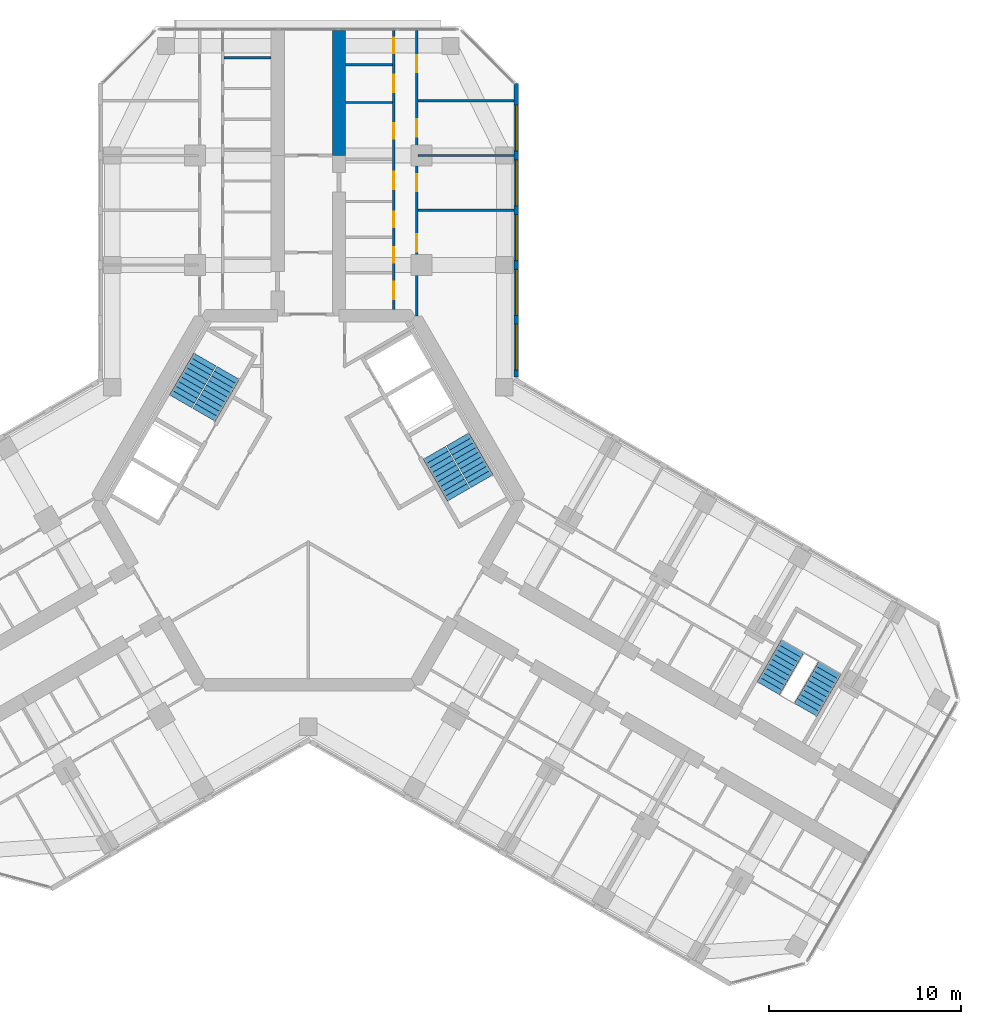
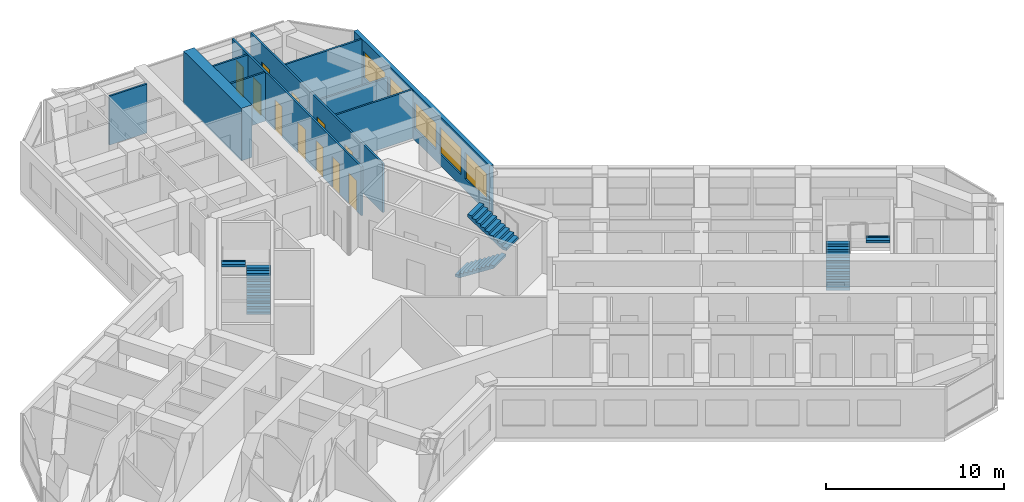
# One storey, part 15 of 16: 11 doors, 10 walls, 6 stair flights, 5 windows, 16 openings, 3 elements without a shape of their own.
"""IFC4 building model written with IfcOpenShell, lengths in metres."""

from ifc_helpers import new_model, si_unit, direction, frame, frame_2d, origin, place, context, subcontext, project, spatial, polyline, rectangle, outline, extrude, material, layer, layer_set, type_object, element, fill, aggregate, save


model = new_model("IFC4")

# Units and contexts
model_context = context("Model", 3, precision=1e-05, world=origin(), true_north=direction((0.0, 1.0)))
body_context = subcontext(model_context, "Body", "Model", "MODEL_VIEW")
ifc_project = project(units=[si_unit("LENGTHUNIT", "METRE"), si_unit("AREAUNIT", "SQUARE_METRE"), si_unit("VOLUMEUNIT", "CUBIC_METRE"), si_unit("PLANEANGLEUNIT", "RADIAN"), si_unit("MASSUNIT", "GRAM", prefix="KILO")], contexts=[model_context])

# Site, building, storey
site_placement = place(None, origin())
site = spatial("IfcSite", under=ifc_project, at=site_placement, CompositionType="ELEMENT")
building_placement = place(site_placement, origin())
building = spatial("IfcBuilding", under=site, at=building_placement, Name="Kosmar Iwan School Tower", CompositionType="ELEMENT")
storey_placement = place(building_placement, frame((0.0, 0.0, 222.60009765625)))
storey = spatial("IfcBuildingStorey", under=building, at=storey_placement, Name="L56", CompositionType="ELEMENT", Elevation=222.60009765625)

# Walls
ifc_material_1 = material(Name="Concrete C50/60", Category="concrete")
ifc_layer_1 = layer(ifc_material_1, 0.699951171875)
ifc_layer_set_1 = layer_set([ifc_layer_1], Name="Corridor buttress wall 700")
wall_type_1 = type_object("IfcWallType", Name="Corridor buttress wall 700", PredefinedType="SHEAR", material=ifc_layer_set_1)
wall_1_placement = place(storey_placement, frame((1.60009765625, 17.949951171875, 0.0), z_axis=(0.0, 0.0, 1.0), x_axis=(0.0, 1.0, 0.0)))
element("IfcWall", 1, at=wall_1_placement, inside=storey, type_object=wall_type_1, Name="Corridor wall AR bay 2", PredefinedType="SHEAR", context=body_context, shape_type="SweptSolid", body=[
    extrude(rectangle(XDim=6.4951171875, YDim=0.699951171875, at=frame_2d((3.24755859375, 0.0))), origin(), (0.0, 0.0, 1.0), 3.599853515625),
])
ifc_material_2 = material(Name="Gypsum board on steel studs", Category="steel")
ifc_layer_2 = layer(ifc_material_2, 0.1201171875)
ifc_layer_set_2 = layer_set([ifc_layer_2], Name="Dwelling partition 120")
wall_type_2 = type_object("IfcWallType", Name="Dwelling partition 120", PredefinedType="PARTITIONING", material=ifc_layer_set_2)
wall_2_placement = place(storey_placement, frame((-1.949951171875, 23.043212890625, 0.0), z_axis=(0.0, 0.0, 1.0), x_axis=(-1.0, 0.0, 0.0)))
element("IfcWall", 2, at=wall_2_placement, inside=storey, type_object=wall_type_2, Name="Partition L56-AL1-Y7", PredefinedType="PARTITIONING", context=body_context, shape_type="SweptSolid", body=[
    extrude(rectangle(XDim=2.43994140625, YDim=0.1201171875, at=frame_2d((1.219970703125, 0.0))), origin(), (0.0, 0.0, 1.0), 3.349853515625),
])

# Wall, openings, doors
wall_3_placement = place(storey_placement, frame((4.449951171875, 9.925048828125, 0.0), z_axis=(0.0, 0.0, 1.0), x_axis=(0.0, 1.0, 0.0)))
wall_3 = element("IfcWall", 3, at=wall_3_placement, inside=storey, type_object=wall_type_2, Name="Partition L56-AR1-W1", PredefinedType="PARTITIONING", context=body_context, shape_type="SweptSolid", body=[
    extrude(rectangle(XDim=14.52001953125, YDim=0.1201171875, at=frame_2d((7.260009765625, 0.0))), origin(), (0.0, 0.0, 1.0), 3.349853515625),
])
opening_1_placement = place(wall_3_placement, frame((0.550048828125, 0.0, 0.0)))
opening_1 = element("IfcOpeningElement", 4, at=opening_1_placement, cuts=wall_3, Name="Opening D2", PredefinedType="OPENING", context=body_context, shape_type="SweptSolid", body=[
    extrude(rectangle(XDim=0.89990234375, YDim=2.10009765625, at=frame_2d((0.449951171875, 1.050048828125))), frame((0.0, 0.072021484375, 0.0), z_axis=(0.0, -1.0, 0.0), x_axis=(1.0, 0.0, 0.0)), (0.0, 0.0, 1.0), 0.14404296875),
])
opening_2_placement = place(wall_3_placement, frame((2.449951171875, 0.0, 0.0)))
opening_2 = element("IfcOpeningElement", 5, at=opening_2_placement, cuts=wall_3, Name="Opening D3", PredefinedType="OPENING", context=body_context, shape_type="SweptSolid", body=[
    extrude(rectangle(XDim=0.800048828125, YDim=2.10009765625, at=frame_2d((0.39990234375, 1.050048828125))), frame((0.0, 0.072021484375, 0.0), z_axis=(0.0, -1.0, 0.0), x_axis=(1.0, 0.0, 0.0)), (0.0, 0.0, 1.0), 0.14404296875),
])
opening_3_placement = place(wall_3_placement, frame((4.300048828125, 0.0, 0.0)))
opening_3 = element("IfcOpeningElement", 6, at=opening_3_placement, cuts=wall_3, Name="Opening D3", PredefinedType="OPENING", context=body_context, shape_type="SweptSolid", body=[
    extrude(rectangle(XDim=0.800048828125, YDim=2.10009765625, at=frame_2d((0.39990234375, 1.050048828125))), frame((0.0, 0.072021484375, 0.0), z_axis=(0.0, -1.0, 0.0), x_axis=(1.0, 0.0, 0.0)), (0.0, 0.0, 1.0), 0.14404296875),
])
opening_4_placement = place(wall_3_placement, frame((6.27490234375, 0.0, 0.0)))
opening_4 = element("IfcOpeningElement", 7, at=opening_4_placement, cuts=wall_3, Name="Opening D2", PredefinedType="OPENING", context=body_context, shape_type="SweptSolid", body=[
    extrude(rectangle(XDim=0.89990234375, YDim=2.10009765625, at=frame_2d((0.449951171875, 1.050048828125))), frame((0.0, 0.072021484375, 0.0), z_axis=(0.0, -1.0, 0.0), x_axis=(1.0, 0.0, 0.0)), (0.0, 0.0, 1.0), 0.14404296875),
])
opening_5_placement = place(wall_3_placement, frame((8.903564453125, 0.0, 0.0)))
opening_5 = element("IfcOpeningElement", 8, at=opening_5_placement, cuts=wall_3, Name="Opening D3", PredefinedType="OPENING", context=body_context, shape_type="SweptSolid", body=[
    extrude(rectangle(XDim=0.800048828125, YDim=2.10009765625, at=frame_2d((0.39990234375, 1.050048828125))), frame((0.0, 0.072021484375, 0.0), z_axis=(0.0, -1.0, 0.0), x_axis=(1.0, 0.0, 0.0)), (0.0, 0.0, 1.0), 0.14404296875),
])
opening_6_placement = place(wall_3_placement, frame((11.31787109375, 0.0, 0.0)))
opening_6 = element("IfcOpeningElement", 9, at=opening_6_placement, cuts=wall_3, Name="Opening D2", PredefinedType="OPENING", context=body_context, shape_type="SweptSolid", body=[
    extrude(rectangle(XDim=0.89990234375, YDim=2.10009765625, at=frame_2d((0.449951171875, 1.050048828125))), frame((0.0, 0.072021484375, 0.0), z_axis=(0.0, -1.0, 0.0), x_axis=(1.0, 0.0, 0.0)), (0.0, 0.0, 1.0), 0.14404296875),
])
opening_7_placement = place(wall_3_placement, frame((13.33935546875, 0.0, 0.0)))
opening_7 = element("IfcOpeningElement", 10, at=opening_7_placement, cuts=wall_3, Name="Opening D3", PredefinedType="OPENING", context=body_context, shape_type="SweptSolid", body=[
    extrude(rectangle(XDim=0.800048828125, YDim=2.10009765625, at=frame_2d((0.39990234375, 1.050048828125))), frame((0.0, 0.072021484375, 0.0), z_axis=(0.0, -1.0, 0.0), x_axis=(1.0, 0.0, 0.0)), (0.0, 0.0, 1.0), 0.14404296875),
])
ifc_material_3 = material(Name="Timber door in timber frame", Category="wood")
door_type_1 = type_object("IfcDoorType", Name="Internal door 900x2100", OperationType="SINGLE_SWING_LEFT", PredefinedType="DOOR", material=ifc_material_3)
door_1_placement = place(opening_1_placement, origin())
door_1 = element("IfcDoor", 11, at=door_1_placement, inside=storey, type_object=door_type_1, Name="Utility room door L56-AR1-S1", OperationType="SINGLE_SWING_RIGHT", OverallHeight=2.10009765625, OverallWidth=0.89990234375, PredefinedType="DOOR", context=body_context, shape_type="SweptSolid", body=[
    extrude(rectangle(XDim=0.89990234375, YDim=2.10009765625, at=frame_2d((0.449951171875, 1.050048828125))), frame((0.0, 0.02490234375, 0.0), z_axis=(0.0, -1.0, 0.0), x_axis=(1.0, 0.0, 0.0)), (0.0, 0.0, 1.0), 0.050048828125),
])
fill(opening_1, door_1)
door_2_placement = place(opening_4_placement, origin())
door_2 = element("IfcDoor", 12, at=door_2_placement, inside=storey, type_object=door_type_1, Name="Entrance hall door L56-AR1-S4", OperationType="SINGLE_SWING_LEFT", OverallHeight=2.10009765625, OverallWidth=0.89990234375, PredefinedType="DOOR", context=body_context, shape_type="SweptSolid", body=[
    extrude(rectangle(XDim=0.89990234375, YDim=2.10009765625, at=frame_2d((0.449951171875, 1.050048828125))), frame((0.0, 0.02490234375, 0.0), z_axis=(0.0, -1.0, 0.0), x_axis=(1.0, 0.0, 0.0)), (0.0, 0.0, 1.0), 0.050048828125),
])
fill(opening_4, door_2)
door_3_placement = place(opening_6_placement, origin())
door_3 = element("IfcDoor", 13, at=door_3_placement, inside=storey, type_object=door_type_1, Name="Pantry door L56-AR1-S6", OperationType="SINGLE_SWING_LEFT", OverallHeight=2.10009765625, OverallWidth=0.89990234375, PredefinedType="DOOR", context=body_context, shape_type="SweptSolid", body=[
    extrude(rectangle(XDim=0.89990234375, YDim=2.10009765625, at=frame_2d((0.449951171875, 1.050048828125))), frame((0.0, 0.02490234375, 0.0), z_axis=(0.0, -1.0, 0.0), x_axis=(1.0, 0.0, 0.0)), (0.0, 0.0, 1.0), 0.050048828125),
])
fill(opening_6, door_3)
ifc_material_4 = material(Name="Timber door in timber frame", Category="wood")
door_type_2 = type_object("IfcDoorType", Name="Sanitary room door 800x2100", OperationType="SINGLE_SWING_LEFT", PredefinedType="DOOR", material=ifc_material_4)
door_4_placement = place(opening_2_placement, origin())
door_4 = element("IfcDoor", 14, at=door_4_placement, inside=storey, type_object=door_type_2, Name="WC door L56-AR1-S2", OperationType="SINGLE_SWING_LEFT", OverallHeight=2.10009765625, OverallWidth=0.800048828125, PredefinedType="DOOR", context=body_context, shape_type="SweptSolid", body=[
    extrude(rectangle(XDim=0.800048828125, YDim=2.10009765625, at=frame_2d((0.39990234375, 1.050048828125))), frame((0.0, 0.02490234375, 0.0), z_axis=(0.0, -1.0, 0.0), x_axis=(1.0, 0.0, 0.0)), (0.0, 0.0, 1.0), 0.050048828125),
])
fill(opening_2, door_4)
door_5_placement = place(opening_3_placement, origin())
door_5 = element("IfcDoor", 15, at=door_5_placement, inside=storey, type_object=door_type_2, Name="Shower room door L56-AR1-S3", OperationType="SINGLE_SWING_RIGHT", OverallHeight=2.10009765625, OverallWidth=0.800048828125, PredefinedType="DOOR", context=body_context, shape_type="SweptSolid", body=[
    extrude(rectangle(XDim=0.800048828125, YDim=2.10009765625, at=frame_2d((0.39990234375, 1.050048828125))), frame((0.0, 0.02490234375, 0.0), z_axis=(0.0, -1.0, 0.0), x_axis=(1.0, 0.0, 0.0)), (0.0, 0.0, 1.0), 0.050048828125),
])
fill(opening_3, door_5)
door_6_placement = place(opening_5_placement, origin())
door_6 = element("IfcDoor", 16, at=door_6_placement, inside=storey, type_object=door_type_2, Name="Bathroom door L56-AR1-S5", OperationType="SINGLE_SWING_RIGHT", OverallHeight=2.10009765625, OverallWidth=0.800048828125, PredefinedType="DOOR", context=body_context, shape_type="SweptSolid", body=[
    extrude(rectangle(XDim=0.800048828125, YDim=2.10009765625, at=frame_2d((0.39990234375, 1.050048828125))), frame((0.0, 0.02490234375, 0.0), z_axis=(0.0, -1.0, 0.0), x_axis=(1.0, 0.0, 0.0)), (0.0, 0.0, 1.0), 0.050048828125),
])
fill(opening_5, door_6)
door_7_placement = place(opening_7_placement, origin())
door_7 = element("IfcDoor", 17, at=door_7_placement, inside=storey, type_object=door_type_2, Name="Store door L56-AR1-S7", OperationType="SINGLE_SWING_RIGHT", OverallHeight=2.10009765625, OverallWidth=0.800048828125, PredefinedType="DOOR", context=body_context, shape_type="SweptSolid", body=[
    extrude(rectangle(XDim=0.800048828125, YDim=2.10009765625, at=frame_2d((0.39990234375, 1.050048828125))), frame((0.0, 0.02490234375, 0.0), z_axis=(0.0, -1.0, 0.0), x_axis=(1.0, 0.0, 0.0)), (0.0, 0.0, 1.0), 0.050048828125),
])
fill(opening_7, door_7)

wall_4_placement = place(storey_placement, frame((5.64990234375, 9.60009765625, 0.0), z_axis=(0.0, 0.0, 1.0), x_axis=(0.0, 1.0, 0.0)))
wall_4 = element("IfcWall", 18, at=wall_4_placement, inside=storey, type_object=wall_type_2, Name="Partition L56-AR1-W2", PredefinedType="PARTITIONING", context=body_context, shape_type="SweptSolid", body=[
    extrude(rectangle(XDim=14.844970703125, YDim=0.1201171875, at=frame_2d((7.42236328125, 0.0))), origin(), (0.0, 0.0, 1.0), 3.349853515625),
])
opening_8_placement = place(wall_4_placement, frame((3.35009765625, 0.0, 0.0)))
opening_8 = element("IfcOpeningElement", 19, at=opening_8_placement, cuts=wall_4, Name="Opening D2", PredefinedType="OPENING", context=body_context, shape_type="SweptSolid", body=[
    extrude(rectangle(XDim=0.89990234375, YDim=2.10009765625, at=frame_2d((0.449951171875, 1.050048828125))), frame((0.0, 0.072021484375, 0.0), z_axis=(0.0, -1.0, 0.0), x_axis=(1.0, 0.0, 0.0)), (0.0, 0.0, 1.0), 0.14404296875),
])
opening_9_placement = place(wall_4_placement, frame((6.47509765625, 0.0, 0.0)))
opening_9 = element("IfcOpeningElement", 20, at=opening_9_placement, cuts=wall_4, Name="Opening D2", PredefinedType="OPENING", context=body_context, shape_type="SweptSolid", body=[
    extrude(rectangle(XDim=0.89990234375, YDim=2.10009765625, at=frame_2d((0.449951171875, 1.050048828125))), frame((0.0, 0.072021484375, 0.0), z_axis=(0.0, -1.0, 0.0), x_axis=(1.0, 0.0, 0.0)), (0.0, 0.0, 1.0), 0.14404296875),
])
opening_10_placement = place(wall_4_placement, frame((9.324951171875, 0.0, 0.0)))
opening_10 = element("IfcOpeningElement", 21, at=opening_10_placement, cuts=wall_4, Name="Opening D2", PredefinedType="OPENING", context=body_context, shape_type="SweptSolid", body=[
    extrude(rectangle(XDim=0.89990234375, YDim=2.10009765625, at=frame_2d((0.449951171875, 1.050048828125))), frame((0.0, 0.072021484375, 0.0), z_axis=(0.0, -1.0, 0.0), x_axis=(1.0, 0.0, 0.0)), (0.0, 0.0, 1.0), 0.14404296875),
])
opening_11_placement = place(wall_4_placement, frame((12.675048828125, 0.0, 0.0)))
opening_11 = element("IfcOpeningElement", 22, at=opening_11_placement, cuts=wall_4, Name="Opening D2", PredefinedType="OPENING", context=body_context, shape_type="SweptSolid", body=[
    extrude(rectangle(XDim=0.89990234375, YDim=2.10009765625, at=frame_2d((0.449951171875, 1.050048828125))), frame((0.0, 0.072021484375, 0.0), z_axis=(0.0, -1.0, 0.0), x_axis=(1.0, 0.0, 0.0)), (0.0, 0.0, 1.0), 0.14404296875),
])
door_8_placement = place(opening_8_placement, origin())
door_8 = element("IfcDoor", 23, at=door_8_placement, inside=storey, type_object=door_type_1, Name="Family room and kitchen door L56-AR1-F1", OperationType="SINGLE_SWING_LEFT", OverallHeight=2.10009765625, OverallWidth=0.89990234375, PredefinedType="DOOR", context=body_context, shape_type="SweptSolid", body=[
    extrude(rectangle(XDim=0.89990234375, YDim=2.10009765625, at=frame_2d((0.449951171875, 1.050048828125))), frame((0.0, 0.02490234375, 0.0), z_axis=(0.0, -1.0, 0.0), x_axis=(1.0, 0.0, 0.0)), (0.0, 0.0, 1.0), 0.050048828125),
])
fill(opening_8, door_8)
door_9_placement = place(opening_9_placement, origin())
door_9 = element("IfcDoor", 24, at=door_9_placement, inside=storey, type_object=door_type_1, Name="Bedroom 1 door L56-AR1-F2", OperationType="SINGLE_SWING_LEFT", OverallHeight=2.10009765625, OverallWidth=0.89990234375, PredefinedType="DOOR", context=body_context, shape_type="SweptSolid", body=[
    extrude(rectangle(XDim=0.89990234375, YDim=2.10009765625, at=frame_2d((0.449951171875, 1.050048828125))), frame((0.0, 0.02490234375, 0.0), z_axis=(0.0, -1.0, 0.0), x_axis=(1.0, 0.0, 0.0)), (0.0, 0.0, 1.0), 0.050048828125),
])
fill(opening_9, door_9)
door_10_placement = place(opening_10_placement, origin())
door_10 = element("IfcDoor", 25, at=door_10_placement, inside=storey, type_object=door_type_1, Name="Bedroom 2 door L56-AR1-F3", OperationType="SINGLE_SWING_RIGHT", OverallHeight=2.10009765625, OverallWidth=0.89990234375, PredefinedType="DOOR", context=body_context, shape_type="SweptSolid", body=[
    extrude(rectangle(XDim=0.89990234375, YDim=2.10009765625, at=frame_2d((0.449951171875, 1.050048828125))), frame((0.0, 0.02490234375, 0.0), z_axis=(0.0, -1.0, 0.0), x_axis=(1.0, 0.0, 0.0)), (0.0, 0.0, 1.0), 0.050048828125),
])
fill(opening_10, door_10)
door_11_placement = place(opening_11_placement, origin())
door_11 = element("IfcDoor", 26, at=door_11_placement, inside=storey, type_object=door_type_1, Name="Bedroom 3 door L56-AR1-F4", OperationType="SINGLE_SWING_RIGHT", OverallHeight=2.10009765625, OverallWidth=0.89990234375, PredefinedType="DOOR", context=body_context, shape_type="SweptSolid", body=[
    extrude(rectangle(XDim=0.89990234375, YDim=2.10009765625, at=frame_2d((0.449951171875, 1.050048828125))), frame((0.0, 0.02490234375, 0.0), z_axis=(0.0, -1.0, 0.0), x_axis=(1.0, 0.0, 0.0)), (0.0, 0.0, 1.0), 0.050048828125),
])
fill(opening_11, door_11)

# Walls
wall_5_placement = place(storey_placement, frame((5.7099609375, 15.10009765625, 0.0), z_axis=(0.0, 0.0, 1.0), x_axis=(1.0, 0.0, 0.0)))
element("IfcWall", 27, at=wall_5_placement, inside=storey, type_object=wall_type_2, Name="Partition L56-AR1-X1", PredefinedType="PARTITIONING", context=body_context, shape_type="SweptSolid", body=[
    extrude(rectangle(XDim=4.989990234375, YDim=0.1201171875, at=frame_2d((2.4951171875, 0.0))), origin(), (0.0, 0.0, 1.0), 3.349853515625),
])
wall_6_placement = place(storey_placement, frame((5.7099609375, 17.949951171875, 0.0), z_axis=(0.0, 0.0, 1.0), x_axis=(1.0, 0.0, 0.0)))
element("IfcWall", 28, at=wall_6_placement, inside=storey, type_object=wall_type_2, Name="Partition L56-AR1-X2", PredefinedType="PARTITIONING", context=body_context, shape_type="SweptSolid", body=[
    extrude(rectangle(XDim=4.989990234375, YDim=0.1201171875, at=frame_2d((2.4951171875, 0.0))), origin(), (0.0, 0.0, 1.0), 2.449951171875),
])
wall_7_placement = place(storey_placement, frame((5.7099609375, 20.800048828125, 0.0), z_axis=(0.0, 0.0, 1.0), x_axis=(1.0, 0.0, 0.0)))
element("IfcWall", 29, at=wall_7_placement, inside=storey, type_object=wall_type_2, Name="Partition L56-AR1-X3", PredefinedType="PARTITIONING", context=body_context, shape_type="SweptSolid", body=[
    extrude(rectangle(XDim=4.989990234375, YDim=0.1201171875, at=frame_2d((2.4951171875, 0.0))), origin(), (0.0, 0.0, 1.0), 3.349853515625),
])
for number, where, z_axis, x_axis, name in (
    (30, (1.949951171875, 20.70703125, 0.0), (0.0, 0.0, 1.0), (1.0, 0.0, 0.0), "Partition L56-AR1-Y5"),
    (31, (1.949951171875, 22.678466796875, 0.0), (0.0, 0.0, 1.0), (1.0, 0.0, 0.0), "Partition L56-AR1-Y6"),
):
    element("IfcWall", number, at=place(storey_placement, frame(where, z_axis=z_axis, x_axis=x_axis)), inside=storey, type_object=wall_type_2, Name=name, PredefinedType="PARTITIONING", context=body_context, shape_type="SweptSolid", body=[
        extrude(rectangle(XDim=2.43994140625, YDim=0.1201171875, at=frame_2d((1.219970703125, 0.0))), origin(), (0.0, 0.0, 1.0), 3.349853515625),
    ])

# Wall, openings, windows
ifc_material_5 = material(Name="Black aluminium rainscreen on insulated framing", Category="aluminium")
ifc_layer_3 = layer(ifc_material_5, 0.25)
ifc_layer_set_3 = layer_set([ifc_layer_3], Name="External wall rainscreen 250")
wall_type_3 = type_object("IfcWallType", Name="External wall rainscreen 250", PredefinedType="SOLIDWALL", material=ifc_layer_set_3)
wall_8_placement = place(storey_placement, frame((10.824951171875, 6.408935546875, 0.0), z_axis=(0.0, 0.0, 1.0), x_axis=(0.0, 1.0, 0.0)))
wall_8 = element("IfcWall", 32, at=wall_8_placement, inside=storey, type_object=wall_type_3, Name="External wall AR L56", PredefinedType="SOLIDWALL", context=body_context, shape_type="SweptSolid", body=[
    extrude(rectangle(XDim=15.2763671875, YDim=0.25, at=frame_2d((7.63818359375, 0.0))), origin(), (0.0, 0.0, 1.0), 3.349853515625),
])
opening_12_placement = place(wall_8_placement, frame((0.365966796875, 0.0, 0.800048828125)))
opening_12 = element("IfcOpeningElement", 33, at=opening_12_placement, cuts=wall_8, Name="Opening W5", PredefinedType="OPENING", context=body_context, shape_type="SweptSolid", body=[
    extrude(rectangle(XDim=2.39990234375, YDim=1.800048828125, at=frame_2d((1.199951171875, 0.89990234375))), frame((0.0, 0.136962890625, 0.0), z_axis=(0.0, -1.0, 0.0), x_axis=(1.0, 0.0, 0.0)), (0.0, 0.0, 1.0), 0.27392578125),
])
opening_13_placement = place(wall_8_placement, frame((3.216064453125, 0.0, 0.800048828125)))
opening_13 = element("IfcOpeningElement", 34, at=opening_13_placement, cuts=wall_8, Name="Opening W5", PredefinedType="OPENING", context=body_context, shape_type="SweptSolid", body=[
    extrude(rectangle(XDim=2.39990234375, YDim=1.800048828125, at=frame_2d((1.199951171875, 0.89990234375))), frame((0.0, 0.136962890625, 0.0), z_axis=(0.0, -1.0, 0.0), x_axis=(1.0, 0.0, 0.0)), (0.0, 0.0, 1.0), 0.27392578125),
])
opening_14_placement = place(wall_8_placement, frame((6.06591796875, 0.0, 0.800048828125)))
opening_14 = element("IfcOpeningElement", 35, at=opening_14_placement, cuts=wall_8, Name="Opening W5", PredefinedType="OPENING", context=body_context, shape_type="SweptSolid", body=[
    extrude(rectangle(XDim=2.39990234375, YDim=1.800048828125, at=frame_2d((1.199951171875, 0.89990234375))), frame((0.0, 0.136962890625, 0.0), z_axis=(0.0, -1.0, 0.0), x_axis=(1.0, 0.0, 0.0)), (0.0, 0.0, 1.0), 0.27392578125),
])
opening_15_placement = place(wall_8_placement, frame((8.916015625, 0.0, 0.800048828125)))
opening_15 = element("IfcOpeningElement", 36, at=opening_15_placement, cuts=wall_8, Name="Opening W5", PredefinedType="OPENING", context=body_context, shape_type="SweptSolid", body=[
    extrude(rectangle(XDim=2.39990234375, YDim=1.800048828125, at=frame_2d((1.199951171875, 0.89990234375))), frame((0.0, 0.136962890625, 0.0), z_axis=(0.0, -1.0, 0.0), x_axis=(1.0, 0.0, 0.0)), (0.0, 0.0, 1.0), 0.27392578125),
])
opening_16_placement = place(wall_8_placement, frame((11.76611328125, 0.0, 0.800048828125)))
opening_16 = element("IfcOpeningElement", 37, at=opening_16_placement, cuts=wall_8, Name="Opening W5", PredefinedType="OPENING", context=body_context, shape_type="SweptSolid", body=[
    extrude(rectangle(XDim=2.39990234375, YDim=1.800048828125, at=frame_2d((1.199951171875, 0.89990234375))), frame((0.0, 0.136962890625, 0.0), z_axis=(0.0, -1.0, 0.0), x_axis=(1.0, 0.0, 0.0)), (0.0, 0.0, 1.0), 0.27392578125),
])
ifc_material_6 = material(Name="Black aluminium frame with dark triple glazing", Category="aluminium")
window_type = type_object("IfcWindowType", Name="Window 2400x1800", PartitioningType="SINGLE_PANEL", PredefinedType="WINDOW", material=ifc_material_6)
window_1_placement = place(opening_12_placement, origin())
window_1 = element("IfcWindow", 38, at=window_1_placement, inside=storey, type_object=window_type, Name="Window AR L56 -1", OverallHeight=1.800048828125, OverallWidth=2.39990234375, PartitioningType="SINGLE_PANEL", PredefinedType="WINDOW", context=body_context, shape_type="SweptSolid", body=[
    extrude(rectangle(XDim=2.39990234375, YDim=1.800048828125, at=frame_2d((1.199951171875, 0.89990234375))), frame((0.0, 0.030029296875, 0.0), z_axis=(0.0, -1.0, 0.0), x_axis=(1.0, 0.0, 0.0)), (0.0, 0.0, 1.0), 0.06005859375),
])
fill(opening_12, window_1)
window_2_placement = place(opening_13_placement, origin())
window_2 = element("IfcWindow", 39, at=window_2_placement, inside=storey, type_object=window_type, Name="Window AR L56 0", OverallHeight=1.800048828125, OverallWidth=2.39990234375, PartitioningType="SINGLE_PANEL", PredefinedType="WINDOW", context=body_context, shape_type="SweptSolid", body=[
    extrude(rectangle(XDim=2.39990234375, YDim=1.800048828125, at=frame_2d((1.199951171875, 0.89990234375))), frame((0.0, 0.030029296875, 0.0), z_axis=(0.0, -1.0, 0.0), x_axis=(1.0, 0.0, 0.0)), (0.0, 0.0, 1.0), 0.06005859375),
])
fill(opening_13, window_2)
window_3_placement = place(opening_14_placement, origin())
window_3 = element("IfcWindow", 40, at=window_3_placement, inside=storey, type_object=window_type, Name="Window AR L56 1", OverallHeight=1.800048828125, OverallWidth=2.39990234375, PartitioningType="SINGLE_PANEL", PredefinedType="WINDOW", context=body_context, shape_type="SweptSolid", body=[
    extrude(rectangle(XDim=2.39990234375, YDim=1.800048828125, at=frame_2d((1.199951171875, 0.89990234375))), frame((0.0, 0.030029296875, 0.0), z_axis=(0.0, -1.0, 0.0), x_axis=(1.0, 0.0, 0.0)), (0.0, 0.0, 1.0), 0.06005859375),
])
fill(opening_14, window_3)
window_4_placement = place(opening_15_placement, origin())
window_4 = element("IfcWindow", 41, at=window_4_placement, inside=storey, type_object=window_type, Name="Window AR L56 2", OverallHeight=1.800048828125, OverallWidth=2.39990234375, PartitioningType="SINGLE_PANEL", PredefinedType="WINDOW", context=body_context, shape_type="SweptSolid", body=[
    extrude(rectangle(XDim=2.39990234375, YDim=1.800048828125, at=frame_2d((1.199951171875, 0.89990234375))), frame((0.0, 0.030029296875, 0.0), z_axis=(0.0, -1.0, 0.0), x_axis=(1.0, 0.0, 0.0)), (0.0, 0.0, 1.0), 0.06005859375),
])
fill(opening_15, window_4)
window_5_placement = place(opening_16_placement, origin())
window_5 = element("IfcWindow", 42, at=window_5_placement, inside=storey, type_object=window_type, Name="Window AR L56 3", OverallHeight=1.800048828125, OverallWidth=2.39990234375, PartitioningType="SINGLE_PANEL", PredefinedType="WINDOW", context=body_context, shape_type="SweptSolid", body=[
    extrude(rectangle(XDim=2.39990234375, YDim=1.800048828125, at=frame_2d((1.199951171875, 0.89990234375))), frame((0.0, 0.030029296875, 0.0), z_axis=(0.0, -1.0, 0.0), x_axis=(1.0, 0.0, 0.0)), (0.0, 0.0, 1.0), 0.06005859375),
])
fill(opening_16, window_5)

# Stair, stair flights
ifc_material_7 = material(Name="Concrete C35/45", Category="concrete")
stair_type_1 = type_object("IfcStairType", Name="Escape stair 3600", PredefinedType="HALF_TURN_STAIR", material=ifc_material_7)
stair_1_placement = place(storey_placement, origin())
stair_1 = element("IfcStair", 43, at=stair_1_placement, inside=storey, type_object=stair_type_1, Name="Stair WS3 L56", PredefinedType="HALF_TURN_STAIR")
ifc_material_8 = material(Name="Concrete C35/45", Category="concrete")
stair_flight_type_1 = type_object("IfcStairFlightType", Name="Escape stair flight 1350", PredefinedType="STRAIGHT", material=ifc_material_8)
stair_flight_1_placement = place(storey_placement, frame((23.94189453125, -9.781494140625, 0.0), z_axis=(0.0, 0.0, 1.0), x_axis=(0.5, 0.866025403784, 0.0)))
stair_flight_1 = element("IfcStairFlight", 44, at=stair_flight_1_placement, type_object=stair_flight_type_1, Name="WS3 flight 1", NumberOfRisers=10, NumberOfTreads=9, PredefinedType="STRAIGHT", RiserHeight=0.18, TreadLength=0.28, context=body_context, shape_type="SweptSolid", body=[
    extrude(outline(polyline([(0.0, 0.0), (0.0, 0.179931640625), (0.280029296875, 0.179931640625), (0.280029296875, 0.360107421875), (0.56005859375, 0.360107421875), (0.56005859375, 0.5400390625), (0.840087890625, 0.5400390625), (0.840087890625, 0.719970703125), (1.1201171875, 0.719970703125), (1.1201171875, 0.89990234375), (1.39990234375, 0.89990234375), (1.39990234375, 1.080078125), (1.679931640625, 1.080078125), (1.679931640625, 1.260009765625), (1.9599609375, 1.260009765625), (1.9599609375, 1.43994140625), (2.239990234375, 1.43994140625), (2.239990234375, 1.6201171875), (2.52001953125, 1.6201171875), (2.52001953125, 1.800048828125), (2.52001953125, 1.44189453125), (0.277099609375, 0.0), (0.0, 0.0)])), frame((0.0, 0.675048828125, 0.0), z_axis=(0.0, -1.0, 0.0), x_axis=(1.0, 0.0, 0.0)), (0.0, 0.0, 1.0), 1.35009765625),
])
stair_flight_2_placement = place(storey_placement, frame((27.150390625, -8.72412109375, 1.7998046875), z_axis=(0.0, 0.0, 1.0), x_axis=(-0.5, -0.866025403784, 0.0)))
stair_flight_2 = element("IfcStairFlight", 45, at=stair_flight_2_placement, type_object=stair_flight_type_1, Name="WS3 flight 2", NumberOfRisers=10, NumberOfTreads=9, PredefinedType="STRAIGHT", RiserHeight=0.18, TreadLength=0.28, context=body_context, shape_type="SweptSolid", body=[
    extrude(outline(polyline([(0.0, 0.0), (0.0, 0.179931640625), (0.280029296875, 0.179931640625), (0.280029296875, 0.360107421875), (0.56005859375, 0.360107421875), (0.56005859375, 0.5400390625), (0.840087890625, 0.5400390625), (0.840087890625, 0.719970703125), (1.1201171875, 0.719970703125), (1.1201171875, 0.89990234375), (1.39990234375, 0.89990234375), (1.39990234375, 1.080078125), (1.679931640625, 1.080078125), (1.679931640625, 1.260009765625), (1.9599609375, 1.260009765625), (1.9599609375, 1.43994140625), (2.239990234375, 1.43994140625), (2.239990234375, 1.6201171875), (2.52001953125, 1.6201171875), (2.52001953125, 1.800048828125), (2.52001953125, 1.44189453125), (0.277099609375, 0.0), (0.0, 0.0)])), frame((0.0, 0.675048828125, 0.0), z_axis=(0.0, -1.0, 0.0), x_axis=(1.0, 0.0, 0.0)), (0.0, 0.0, 1.0), 1.35009765625),
])
aggregate(stair_1, [stair_flight_1, stair_flight_2])

ifc_material_9 = material(Name="Concrete C35/45", Category="concrete")
stair_type_2 = type_object("IfcStairType", Name="Core stair 2750", PredefinedType="HALF_TURN_STAIR", material=ifc_material_9)
stair_2_placement = place(storey_placement, origin())
stair_2 = element("IfcStair", 46, at=stair_2_placement, inside=storey, type_object=stair_type_2, Name="Stair ST2 L56", PredefinedType="HALF_TURN_STAIR")
ifc_material_10 = material(Name="Concrete C35/45", Category="concrete")
stair_flight_type_2 = type_object("IfcStairFlightType", Name="Stair flight 1350", PredefinedType="STRAIGHT", material=ifc_material_10)
stair_flight_3_placement = place(storey_placement, frame((-5.42724609375, 4.44970703125, 0.0), z_axis=(0.0, 0.0, 1.0), x_axis=(0.5, 0.866025403784, 0.0)))
stair_flight_3 = element("IfcStairFlight", 47, at=stair_flight_3_placement, type_object=stair_flight_type_2, Name="ST2 flight 1", NumberOfRisers=10, NumberOfTreads=9, PredefinedType="STRAIGHT", RiserHeight=0.18, TreadLength=0.28, context=body_context, shape_type="SweptSolid", body=[
    extrude(outline(polyline([(0.0, 0.0), (0.0, 0.179931640625), (0.280029296875, 0.179931640625), (0.280029296875, 0.360107421875), (0.56005859375, 0.360107421875), (0.56005859375, 0.5400390625), (0.840087890625, 0.5400390625), (0.840087890625, 0.719970703125), (1.1201171875, 0.719970703125), (1.1201171875, 0.89990234375), (1.39990234375, 0.89990234375), (1.39990234375, 1.080078125), (1.679931640625, 1.080078125), (1.679931640625, 1.260009765625), (1.9599609375, 1.260009765625), (1.9599609375, 1.43994140625), (2.239990234375, 1.43994140625), (2.239990234375, 1.6201171875), (2.52001953125, 1.6201171875), (2.52001953125, 1.800048828125), (2.52001953125, 1.44189453125), (0.277099609375, 0.0), (0.0, 0.0)])), frame((0.0, 0.675048828125, 0.0), z_axis=(0.0, -1.0, 0.0), x_axis=(1.0, 0.0, 0.0)), (0.0, 0.0, 1.0), 1.35009765625),
])
stair_flight_4_placement = place(storey_placement, frame((-5.379638671875, 7.33203125, 1.7998046875), z_axis=(0.0, 0.0, 1.0), x_axis=(-0.5, -0.866025403784, 0.0)))
stair_flight_4 = element("IfcStairFlight", 48, at=stair_flight_4_placement, type_object=stair_flight_type_2, Name="ST2 flight 2", NumberOfRisers=10, NumberOfTreads=9, PredefinedType="STRAIGHT", RiserHeight=0.18, TreadLength=0.28, context=body_context, shape_type="SweptSolid", body=[
    extrude(outline(polyline([(0.0, 0.0), (0.0, 0.179931640625), (0.280029296875, 0.179931640625), (0.280029296875, 0.360107421875), (0.56005859375, 0.360107421875), (0.56005859375, 0.5400390625), (0.840087890625, 0.5400390625), (0.840087890625, 0.719970703125), (1.1201171875, 0.719970703125), (1.1201171875, 0.89990234375), (1.39990234375, 0.89990234375), (1.39990234375, 1.080078125), (1.679931640625, 1.080078125), (1.679931640625, 1.260009765625), (1.9599609375, 1.260009765625), (1.9599609375, 1.43994140625), (2.239990234375, 1.43994140625), (2.239990234375, 1.6201171875), (2.52001953125, 1.6201171875), (2.52001953125, 1.800048828125), (2.52001953125, 1.44189453125), (0.277099609375, 0.0), (0.0, 0.0)])), frame((0.0, 0.675048828125, 0.0), z_axis=(0.0, -1.0, 0.0), x_axis=(1.0, 0.0, 0.0)), (0.0, 0.0, 1.0), 1.35009765625),
])
aggregate(stair_2, [stair_flight_3, stair_flight_4])

stair_3_placement = place(storey_placement, origin())
stair_3 = element("IfcStair", 49, at=stair_3_placement, inside=storey, type_object=stair_type_2, Name="Stair ST1 L56", PredefinedType="HALF_TURN_STAIR")
stair_flight_5_placement = place(storey_placement, frame((6.567138671875, 2.475341796875, 0.0), z_axis=(0.0, 0.0, 1.0), x_axis=(0.5, -0.866025403784, 0.0)))
stair_flight_5 = element("IfcStairFlight", 50, at=stair_flight_5_placement, type_object=stair_flight_type_2, Name="ST1 flight 1", NumberOfRisers=10, NumberOfTreads=9, PredefinedType="STRAIGHT", RiserHeight=0.18, TreadLength=0.28, context=body_context, shape_type="SweptSolid", body=[
    extrude(outline(polyline([(0.0, 0.0), (0.0, 0.179931640625), (0.280029296875, 0.179931640625), (0.280029296875, 0.360107421875), (0.56005859375, 0.360107421875), (0.56005859375, 0.5400390625), (0.840087890625, 0.5400390625), (0.840087890625, 0.719970703125), (1.1201171875, 0.719970703125), (1.1201171875, 0.89990234375), (1.39990234375, 0.89990234375), (1.39990234375, 1.080078125), (1.679931640625, 1.080078125), (1.679931640625, 1.260009765625), (1.9599609375, 1.260009765625), (1.9599609375, 1.43994140625), (2.239990234375, 1.43994140625), (2.239990234375, 1.6201171875), (2.52001953125, 1.6201171875), (2.52001953125, 1.800048828125), (2.52001953125, 1.44189453125), (0.277099609375, 0.0), (0.0, 0.0)])), frame((0.0, 0.675048828125, 0.0), z_axis=(0.0, -1.0, 0.0), x_axis=(1.0, 0.0, 0.0)), (0.0, 0.0, 1.0), 1.35009765625),
])
stair_flight_6_placement = place(storey_placement, frame((9.03955078125, 0.992919921875, 1.7998046875), z_axis=(0.0, 0.0, 1.0), x_axis=(-0.5, 0.866025403784, 0.0)))
stair_flight_6 = element("IfcStairFlight", 51, at=stair_flight_6_placement, type_object=stair_flight_type_2, Name="ST1 flight 2", NumberOfRisers=10, NumberOfTreads=9, PredefinedType="STRAIGHT", RiserHeight=0.18, TreadLength=0.28, context=body_context, shape_type="SweptSolid", body=[
    extrude(outline(polyline([(0.0, 0.0), (0.0, 0.179931640625), (0.280029296875, 0.179931640625), (0.280029296875, 0.360107421875), (0.56005859375, 0.360107421875), (0.56005859375, 0.5400390625), (0.840087890625, 0.5400390625), (0.840087890625, 0.719970703125), (1.1201171875, 0.719970703125), (1.1201171875, 0.89990234375), (1.39990234375, 0.89990234375), (1.39990234375, 1.080078125), (1.679931640625, 1.080078125), (1.679931640625, 1.260009765625), (1.9599609375, 1.260009765625), (1.9599609375, 1.43994140625), (2.239990234375, 1.43994140625), (2.239990234375, 1.6201171875), (2.52001953125, 1.6201171875), (2.52001953125, 1.800048828125), (2.52001953125, 1.44189453125), (0.277099609375, 0.0), (0.0, 0.0)])), frame((0.0, 0.675048828125, 0.0), z_axis=(0.0, -1.0, 0.0), x_axis=(1.0, 0.0, 0.0)), (0.0, 0.0, 1.0), 1.35009765625),
])
aggregate(stair_3, [stair_flight_5, stair_flight_6])

save(model, "model.ifc")
